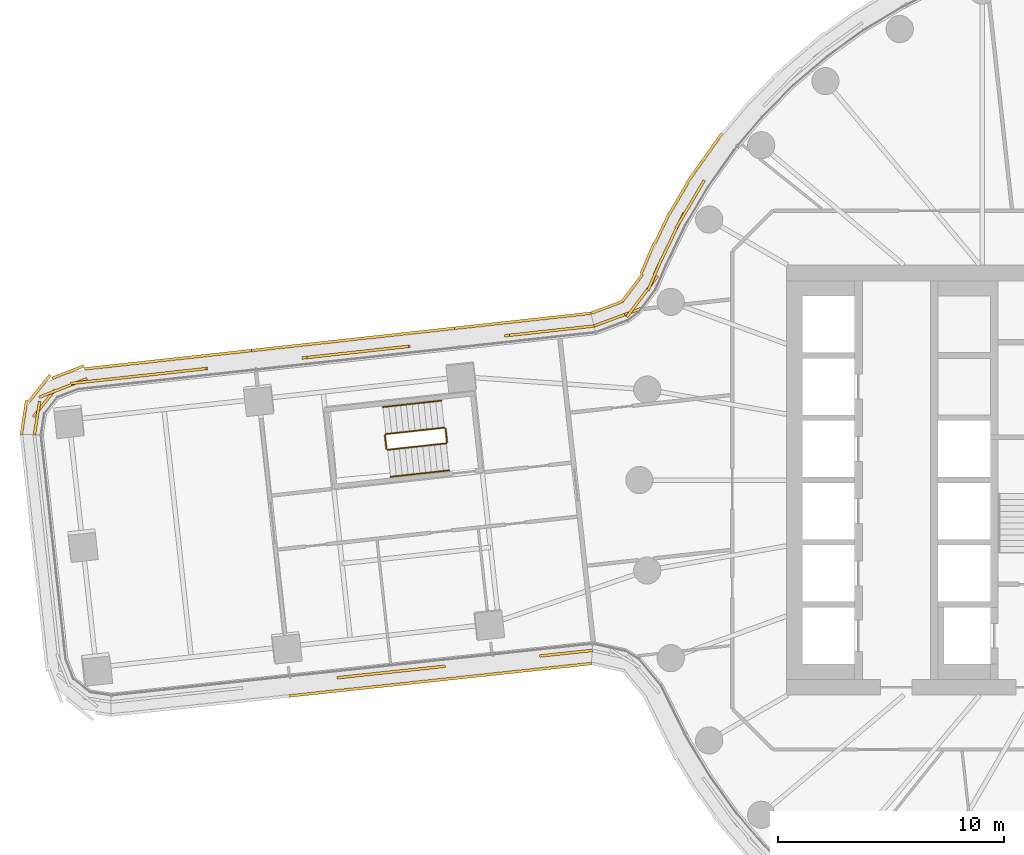
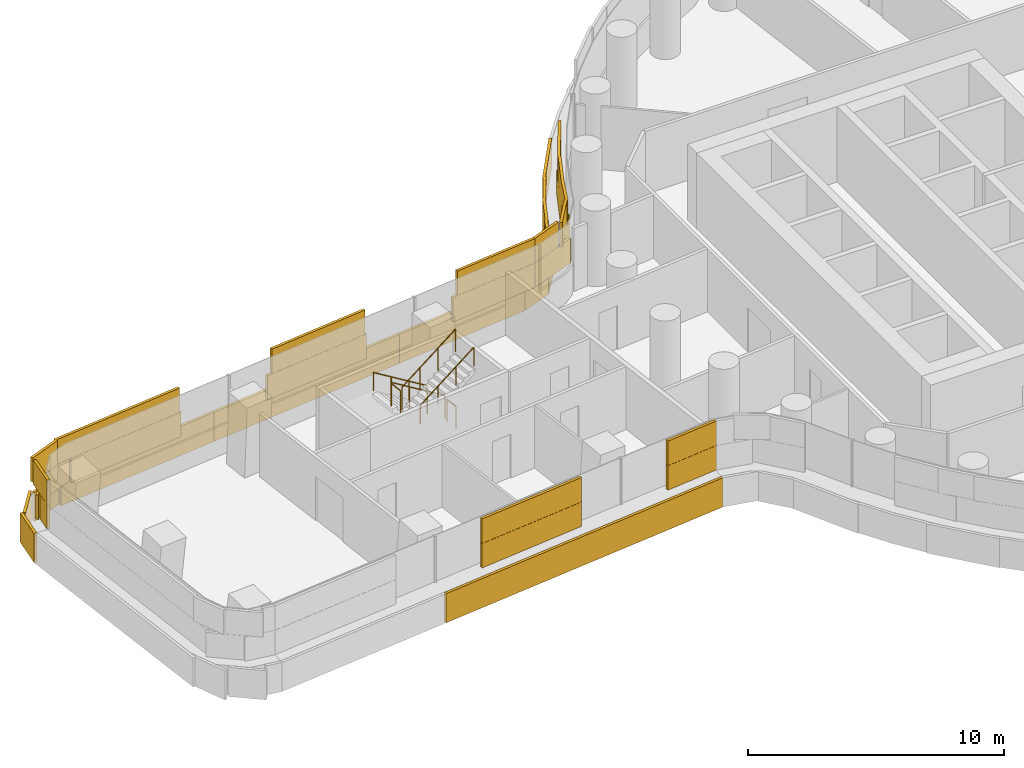
# One storey, part 27 of 31: 6 railings, 5 coverings.
"""IFC4 building model written with IfcOpenShell, lengths in metres."""

import ifcopenshell
import ifcopenshell.guid

model = None  # the IFC model being written
_history = None  # IfcOwnerHistory: only IFC2X3 demands one
_inside = {}  # id of a spatial element -> (the spatial element, [elements in it])
_under = {}  # id of a project, library or spatial element -> (it, [spatial elements below it])
_declared = {}  # id of a project -> (the project, [libraries it declares])
_typed = {}  # id of a type object -> (the type object, [elements of that type])
_made_of = {}  # id of a material, layer set ... -> (it, [elements and type objects made of it])


def new_model(schema):
    """Start an empty IFC model of exactly this schema.

    Asked for "IFC4X3", IfcOpenShell would pick the latest addendum, in which some entities
    have other attributes; the version numbers below select the first issue.
    IFC2X3 requires an IfcOwnerHistory on every rooted entity: one is made here for all.
    """
    global model, _history
    if schema == "IFC4X3":
        model = ifcopenshell.file(schema_version=(4, 3, 0, 0))
    else:
        model = ifcopenshell.file(schema=schema)
    _inside.clear()
    _under.clear()
    _declared.clear()
    _typed.clear()
    _made_of.clear()
    _history = None
    if model.schema == "IFC2X3":
        org = make("IfcOrganization", Name="unknown")
        user = make(
            "IfcPersonAndOrganization",
            ThePerson=make("IfcPerson", FamilyName="unknown"),
            TheOrganization=org,
        )
        app = make(
            "IfcApplication",
            ApplicationDeveloper=org,
            Version="unknown",
            ApplicationFullName="unknown",
            ApplicationIdentifier="unknown",
        )
        _history = make(
            "IfcOwnerHistory",
            OwningUser=user,
            OwningApplication=app,
            ChangeAction="ADDED",
            CreationDate=0,
        )
    return model


def make(cls, **values):
    """One entity of the class cls with the attributes given. An attribute that is None is left unset."""
    return model.create_entity(
        cls, **{name: value for name, value in values.items() if value is not None}
    )


def rooted(cls, **values):
    """An entity with a GlobalId (a new one), such as an element, a storey or a relation."""
    return make(cls, GlobalId=ifcopenshell.guid.new(), OwnerHistory=_history, **values)


def si_unit(unit_type, name, prefix=None):
    """IfcSIUnit, for example si_unit("LENGTHUNIT", "METRE", prefix="MILLI")."""
    return make("IfcSIUnit", UnitType=unit_type, Prefix=prefix, Name=name)


def assignment(units):
    """IfcUnitAssignment: the units of a project."""
    return None if units is None else make("IfcUnitAssignment", Units=units)


def point(xyz):
    """IfcCartesianPoint."""
    return None if xyz is None else make("IfcCartesianPoint", Coordinates=xyz)


def direction(xyz):
    """IfcDirection."""
    return None if xyz is None else make("IfcDirection", DirectionRatios=xyz)


def frame(location, z_axis=None, x_axis=None):
    """IfcAxis2Placement3D, a coordinate frame: its origin and axes. An axis left out is left unset."""
    return make(
        "IfcAxis2Placement3D",
        Location=point(location),
        Axis=direction(z_axis),
        RefDirection=direction(x_axis),
    )


def frame_2d(location, x_axis=None):
    """IfcAxis2Placement2D, a coordinate frame in the plane: its origin and x axis."""
    return make(
        "IfcAxis2Placement2D", Location=point(location), RefDirection=direction(x_axis)
    )


def origin():
    """The frame at (0, 0, 0) with its axes left unset."""
    return frame((0.0, 0.0, 0.0))


def origin_2d():
    """The frame at (0, 0) in the plane with its x axis left unset."""
    return frame_2d((0.0, 0.0))


def place(relative_to, where):
    """IfcLocalPlacement: puts the frame where relative to a parent placement (None: the world)."""
    return make(
        "IfcLocalPlacement", PlacementRelTo=relative_to, RelativePlacement=where
    )


def context(
    kind, dimensions, precision=None, world=None, true_north=None, identifier=None
):
    """IfcGeometricRepresentationContext, for example the 3D "Model" context."""
    return make(
        "IfcGeometricRepresentationContext",
        ContextIdentifier=identifier,
        ContextType=kind,
        CoordinateSpaceDimension=dimensions,
        Precision=precision,
        WorldCoordinateSystem=world,
        TrueNorth=true_north,
    )


def subcontext(parent, identifier, kind, view, scale=None):
    """IfcGeometricRepresentationSubContext, for example "Body" below "Model"."""
    return make(
        "IfcGeometricRepresentationSubContext",
        ContextIdentifier=identifier,
        ContextType=kind,
        ParentContext=parent,
        TargetScale=scale,
        TargetView=view,
    )


def project(units=None, contexts=None):
    """IfcProject with its units and contexts."""
    return rooted(
        "IfcProject",
        Name="project",
        RepresentationContexts=contexts,
        UnitsInContext=assignment(units),
    )


def spatial(cls, under=None, at=None, **own):
    """A site, building, storey or space (cls), placed at a placement, below another one or the project."""
    s = rooted(cls, ObjectPlacement=at, **own)
    if under is not None:
        _under.setdefault(under.id(), (under, []))[1].append(s)
    return s


def profile(cls, at=None, kind="AREA", **sizes):
    """A parametric profile (cls). Its sizes go by their IFC names, for example OverallWidth=200.0."""
    return make(cls, ProfileType=kind, Position=at, **sizes)


def rectangle(**sizes):
    """IfcRectangleProfileDef."""
    return profile("IfcRectangleProfileDef", **sizes)


def circle(**sizes):
    """IfcCircleProfileDef."""
    return profile("IfcCircleProfileDef", **sizes)


def extrude(swept, where, along, depth):
    """IfcExtrudedAreaSolid: the profile swept, set in the frame where, extruded along a direction by depth."""
    return make(
        "IfcExtrudedAreaSolid",
        SweptArea=swept,
        Position=where,
        ExtrudedDirection=direction(along),
        Depth=depth,
    )


def shape(context_of_items, identifier, shape_type, items):
    """IfcShapeRepresentation: the items that make up one representation, for example the "Body"."""
    return make(
        "IfcShapeRepresentation",
        ContextOfItems=context_of_items,
        RepresentationIdentifier=identifier,
        RepresentationType=shape_type,
        Items=items,
    )


def material(Name=None, Category=None):
    """IfcMaterial."""
    return make("IfcMaterial", Name=Name, Category=Category)


def layer(
    of_material, thickness, ventilated=None, Name=None, Category=None, Priority=None
):
    """IfcMaterialLayer: one layer of a wall or slab, of a material (None: an air gap)."""
    return make(
        "IfcMaterialLayer",
        Material=of_material,
        LayerThickness=thickness,
        IsVentilated=ventilated,
        Name=Name,
        Category=Category,
        Priority=Priority,
    )


def layer_set(layers, Name=None):
    """IfcMaterialLayerSet."""
    return make("IfcMaterialLayerSet", MaterialLayers=layers, LayerSetName=Name)


def made_of(thing, what):
    """Note that an element or type object is made of a material, layer set ...; save() writes the relation."""
    if what is not None:
        _made_of.setdefault(what.id(), (what, []))[1].append(thing)
    return thing


def type_object(cls, material=None, **own):
    """A type object (cls), such as IfcWallType, which elements share."""
    return made_of(rooted(cls, **own), material)


def element(
    cls,
    number,
    at=None,
    inside=None,
    cuts=None,
    type_object=None,
    material=None,
    context=None,
    identifier="Body",
    shape_type=None,
    held_by="IfcProductDefinitionShape",
    body=None,
    shapes=None,
    **own,
):
    """One element of the class cls, such as IfcWall. Its Tag is "e" and its number.

    at: its placement. inside: the storey or other place that contains it. cuts: it is an
    opening in that element (IfcRelVoidsElement). A single representation is given by context,
    identifier, shape_type and body (its items); several are given by shapes. held_by: the class
    of the entity that holds the representations. save() writes the other relations.
    """
    e = rooted(cls, Tag="e%d" % number, ObjectPlacement=at, **own)
    if body is not None:
        shapes = [shape(context, identifier, shape_type, body)]
    if shapes is not None:
        e.Representation = make(held_by, Representations=shapes)
    if inside is not None:
        _inside.setdefault(inside.id(), (inside, []))[1].append(e)
    if cuts is not None:
        rooted(
            "IfcRelVoidsElement", RelatingBuildingElement=cuts, RelatedOpeningElement=e
        )
    if type_object is not None:
        _typed.setdefault(type_object.id(), (type_object, []))[1].append(e)
    return made_of(e, material)


def aggregate(whole, parts):
    """IfcRelAggregates: a whole, such as a stair, and the parts it consists of."""
    return rooted("IfcRelAggregates", RelatingObject=whole, RelatedObjects=parts)


def save(model, path):
    """Write the relations noted so far, then the file.

    IfcRelAggregates (storeys below a building ...), IfcRelContainedInSpatialStructure (elements
    in a storey), IfcRelDefinesByType, IfcRelAssociatesMaterial and IfcRelDeclares: one each for
    every whole, place, type object, material and project.
    """
    for whole, parts in _under.values():
        aggregate(whole, parts)
    for where, things in _inside.values():
        rooted(
            "IfcRelContainedInSpatialStructure",
            RelatedElements=things,
            RelatingStructure=where,
        )
    for kind, things in _typed.values():
        rooted("IfcRelDefinesByType", RelatedObjects=things, RelatingType=kind)
    for what, things in _made_of.values():
        rooted("IfcRelAssociatesMaterial", RelatedObjects=things, RelatingMaterial=what)
    for by, libraries in _declared.values():
        rooted("IfcRelDeclares", RelatingContext=by, RelatedDefinitions=libraries)
    model.write(path)


model = new_model("IFC4")

# Units and contexts
model_context = context("Model", 3, precision=1e-05, world=origin(), true_north=direction((0.0, 1.0)))
body_context = subcontext(model_context, "Body", "Model", "MODEL_VIEW")
ifc_project = project(units=[si_unit("LENGTHUNIT", "METRE"), si_unit("AREAUNIT", "SQUARE_METRE"), si_unit("VOLUMEUNIT", "CUBIC_METRE"), si_unit("PLANEANGLEUNIT", "RADIAN"), si_unit("MASSUNIT", "GRAM", prefix="KILO")], contexts=[model_context])

# Site, building, storey
site_placement = place(None, origin())
site = spatial("IfcSite", under=ifc_project, at=site_placement, CompositionType="ELEMENT")
building_placement = place(site_placement, origin())
building = spatial("IfcBuilding", under=site, at=building_placement, Name="Tamarind Cross Interchange Tower", CompositionType="ELEMENT")
storey_placement = place(building_placement, frame((0.0, 0.0, 56.5)))
storey = spatial("IfcBuildingStorey", under=building, at=storey_placement, Name="L12", CompositionType="ELEMENT", Elevation=56.5)

# Railings
ifc_material_1 = material(Name="Stair guard")
railing_type_1 = type_object("IfcRailingType", Name="Stair guard", PredefinedType="GUARDRAIL", material=ifc_material_1)
railing_1_placement = place(storey_placement, frame((-31.610107421875, 2.314453125, 0.17041015625)))
element("IfcRailing", 1, at=railing_1_placement, inside=storey, type_object=railing_type_1, Name="L12 ST5 stair guard 1", PredefinedType="GUARDRAIL", context=body_context, shape_type="SweptSolid", body=[
    extrude(circle(Radius=0.02392578125, at=origin_2d()), frame((0.0, 0.0, 1.076171875), z_axis=(-0.831293296749, -0.091327612329, 0.548279784423), x_axis=(0.109205023982, -0.994019246663, 0.0)), (0.0, 0.0, 1.0), 3.10888671875),
    extrude(circle(Radius=0.02099609375, at=origin_2d()), origin(), (0.0, 0.0, 1.0), 1.052001953125),
    extrude(circle(Radius=0.02099609375, at=origin_2d()), frame((-0.861572265625, -0.0947265625, 0.568115234375)), (0.0, 0.0, 1.0), 1.052001953125),
    extrude(circle(Radius=0.02099609375, at=origin_2d()), frame((-1.722900390625, -0.189208984375, 1.136474609375)), (0.0, 0.0, 1.0), 1.052001953125),
    extrude(circle(Radius=0.02099609375, at=origin_2d()), frame((-2.58447265625, -0.283935546875, 1.70458984375)), (0.0, 0.0, 1.0), 1.052001953125),
])
railing_2_placement = place(storey_placement, frame((-34.23876953125, 1.975341796875, 1.875)))
element("IfcRailing", 2, at=railing_2_placement, inside=storey, type_object=railing_type_1, Name="L12 ST5 stair guard 2", PredefinedType="GUARDRAIL", context=body_context, shape_type="SweptSolid", body=[
    extrude(circle(Radius=0.02392578125, at=origin_2d()), frame((0.0, 0.0, 1.076171875), z_axis=(0.109046994501, -0.994036595398, 0.0), x_axis=(0.994036595398, 0.109046994501, 0.0)), (0.0, 0.0, 1.0), 0.60009765625),
    extrude(circle(Radius=0.02099609375, at=origin_2d()), origin(), (0.0, 0.0, 1.0), 1.052001953125),
    extrude(circle(Radius=0.02099609375, at=origin_2d()), frame((0.0654296875, -0.596435546875, 0.0)), (0.0, 0.0, 1.0), 1.052001953125),
])
railing_3_placement = place(storey_placement, frame((-34.1181640625, 1.334716796875, 2.04541015625)))
element("IfcRailing", 3, at=railing_3_placement, inside=storey, type_object=railing_type_1, Name="L12 ST5 stair guard 3", PredefinedType="GUARDRAIL", context=body_context, shape_type="SweptSolid", body=[
    extrude(circle(Radius=0.02392578125, at=origin_2d()), frame((0.0, 0.0, 1.076171875), z_axis=(0.831293296749, 0.091327612329, 0.548279784423), x_axis=(-0.109205023982, 0.994019246663, 0.0)), (0.0, 0.0, 1.0), 3.10888671875),
    extrude(circle(Radius=0.02099609375, at=origin_2d()), origin(), (0.0, 0.0, 1.0), 1.052001953125),
    extrude(circle(Radius=0.02099609375, at=origin_2d()), frame((0.861572265625, 0.0947265625, 0.568115234375)), (0.0, 0.0, 1.0), 1.052001953125),
    extrude(circle(Radius=0.02099609375, at=origin_2d()), frame((1.722900390625, 0.189208984375, 1.136474609375)), (0.0, 0.0, 1.0), 1.052001953125),
    extrude(circle(Radius=0.02099609375, at=origin_2d()), frame((2.58447265625, 0.283935546875, 1.70458984375)), (0.0, 0.0, 1.0), 1.052001953125),
])
railing_4_placement = place(storey_placement, frame((-31.554931640625, 2.270263671875, 0.0)))
element("IfcRailing", 4, at=railing_4_placement, inside=storey, type_object=railing_type_1, Name="L12 ST5 stair guard 4", PredefinedType="GUARDRAIL", context=body_context, shape_type="SweptSolid", body=[
    extrude(circle(Radius=0.02392578125, at=origin_2d()), frame((0.0, 0.0, 1.076171875), z_axis=(0.109046994501, -0.994036595398, 0.0), x_axis=(0.994036595398, 0.109046994501, 0.0)), (0.0, 0.0, 1.0), 0.60009765625),
    extrude(circle(Radius=0.02099609375, at=origin_2d()), origin(), (0.0, 0.0, 1.0), 1.052001953125),
    extrude(circle(Radius=0.02099609375, at=origin_2d()), frame((0.0654296875, -0.596435546875, 0.0)), (0.0, 0.0, 1.0), 1.052001953125),
])
ifc_material_2 = material(Name="Stair handrail")
railing_type_2 = type_object("IfcRailingType", Name="Stair handrail", PredefinedType="HANDRAIL", material=ifc_material_2)
railing_5_placement = place(storey_placement, frame((-31.7412109375, 3.50732421875, 0.17041015625)))
element("IfcRailing", 5, at=railing_5_placement, inside=storey, type_object=railing_type_2, Name="L12 ST5 stair handrail 1", PredefinedType="HANDRAIL", context=body_context, shape_type="SweptSolid", body=[
    extrude(circle(Radius=0.02392578125, at=origin_2d()), frame((0.0, 0.0, 0.8759765625), z_axis=(-0.831293296749, -0.091327612329, 0.548279784423), x_axis=(0.109205023982, -0.994019246663, 0.0)), (0.0, 0.0, 1.0), 3.10888671875),
    extrude(circle(Radius=0.02099609375, at=origin_2d()), origin(), (0.0, 0.0, 1.0), 0.851806640625),
    extrude(circle(Radius=0.02099609375, at=origin_2d()), frame((-0.861572265625, -0.0947265625, 0.568115234375)), (0.0, 0.0, 1.0), 0.851806640625),
    extrude(circle(Radius=0.02099609375, at=origin_2d()), frame((-1.722900390625, -0.189208984375, 1.136474609375)), (0.0, 0.0, 1.0), 0.851806640625),
    extrude(circle(Radius=0.02099609375, at=origin_2d()), frame((-2.58447265625, -0.283935546875, 1.70458984375)), (0.0, 0.0, 1.0), 0.851806640625),
])
railing_6_placement = place(storey_placement, frame((-33.987060546875, 0.141845703125, 2.04541015625)))
element("IfcRailing", 6, at=railing_6_placement, inside=storey, type_object=railing_type_2, Name="L12 ST5 stair handrail 2", PredefinedType="HANDRAIL", context=body_context, shape_type="SweptSolid", body=[
    extrude(circle(Radius=0.02392578125, at=origin_2d()), frame((0.0, 0.0, 0.8759765625), z_axis=(0.831269033153, 0.09133357445, 0.548315577655), x_axis=(-0.109215217887, 0.994018126687, 0.0)), (0.0, 0.0, 1.0), 3.10888671875),
    extrude(circle(Radius=0.02099609375, at=origin_2d()), origin(), (0.0, 0.0, 1.0), 0.851806640625),
    extrude(circle(Radius=0.02099609375, at=origin_2d()), frame((0.861328125, 0.0947265625, 0.568115234375)), (0.0, 0.0, 1.0), 0.851806640625),
    extrude(circle(Radius=0.02099609375, at=origin_2d()), frame((1.722900390625, 0.189208984375, 1.136474609375)), (0.0, 0.0, 1.0), 0.851806640625),
    extrude(circle(Radius=0.02099609375, at=origin_2d()), frame((2.584228515625, 0.283935546875, 1.70458984375)), (0.0, 0.0, 1.0), 0.851806640625),
])

# Coverings
ifc_material_3 = material(Name="Terracotta", Category="masonry")
ifc_layer = layer(ifc_material_3, 0.1201171875)
ifc_layer_set = layer_set([ifc_layer], Name="Terracotta")
covering_type = type_object("IfcCoveringType", Name="Terracotta baguette screen unit", PredefinedType="MOLDING", material=ifc_layer_set)
covering_1_placement = place(storey_placement, origin())
element("IfcCovering", 7, at=covering_1_placement, inside=storey, type_object=covering_type, Name="SCR-L12-06-01", PredefinedType="MOLDING", context=body_context, shape_type="SweptSolid", body=[
    extrude(rectangle(XDim=1.52001953125, YDim=0.1201171875, at=origin_2d()), frame((-20.618896484375, 12.41162109375, 1.404052734375), z_axis=(0.0, 0.0, 1.0), x_axis=(-0.508183308752, -0.861248933065, 0.0)), (0.0, 0.0, 1.0), 1.1669921875),
    extrude(rectangle(XDim=1.52001953125, YDim=0.1201171875, at=origin_2d()), frame((-21.35986328125, 11.108154296875, 1.404052734375), z_axis=(0.0, 0.0, 1.0), x_axis=(-0.435326231914, -0.900272776334, 0.0)), (0.0, 0.0, 1.0), 1.1669921875),
    extrude(rectangle(XDim=1.52001953125, YDim=0.1201171875, at=origin_2d()), frame((-22.012939453125, 9.7578125, 1.404052734375), z_axis=(0.0, 0.0, 1.0), x_axis=(-0.435326231914, -0.900272776334, 0.0)), (0.0, 0.0, 1.0), 1.1669921875),
    extrude(rectangle(XDim=1.52001953125, YDim=0.1201171875, at=origin_2d()), frame((-22.651123046875, 8.405517578125, 1.404052734375), z_axis=(0.0, 0.0, 1.0), x_axis=(-0.600694337457, -0.799478775796, 0.0)), (0.0, 0.0, 1.0), 1.1669921875),
    extrude(rectangle(XDim=1.52001953125, YDim=0.1201171875, at=origin_2d()), frame((-23.651611328125, 7.3056640625, 1.404052734375), z_axis=(0.0, 0.0, 1.0), x_axis=(-0.937012119325, -0.349296848309, 0.0)), (0.0, 0.0, 1.0), 1.1669921875),
    extrude(rectangle(XDim=0.69921875, YDim=0.1201171875, at=origin_2d()), frame((-24.67724609375, 6.92333984375, 1.404052734375), z_axis=(0.0, 0.0, 1.0), x_axis=(-0.937012119325, -0.349296848309, 0.0)), (0.0, 0.0, 1.0), 1.1669921875),
    extrude(rectangle(XDim=0.9638671875, YDim=0.1201171875, at=origin_2d()), frame((-20.376708984375, 12.822265625, 2.5791015625), z_axis=(0.0, 0.0, 1.0), x_axis=(-0.508183308752, -0.861248933065, 0.0)), (0.0, 0.0, 1.0), 1.1669921875),
    extrude(rectangle(XDim=1.52001953125, YDim=0.1201171875, at=origin_2d()), frame((-21.000244140625, 11.765625, 2.5791015625), z_axis=(0.0, 0.0, 1.0), x_axis=(-0.508183308752, -0.861248933065, 0.0)), (0.0, 0.0, 1.0), 1.1669921875),
    extrude(rectangle(XDim=1.52001953125, YDim=0.1201171875, at=origin_2d()), frame((-21.686279296875, 10.43310546875, 2.5791015625), z_axis=(0.0, 0.0, 1.0), x_axis=(-0.435326231914, -0.900272776334, 0.0)), (0.0, 0.0, 1.0), 1.1669921875),
    extrude(rectangle(XDim=1.52001953125, YDim=0.1201171875, at=origin_2d()), frame((-22.31640625, 9.072265625, 2.5791015625), z_axis=(0.0, 0.0, 1.0), x_axis=(-0.393749270714, -0.91921788049, 0.0)), (0.0, 0.0, 1.0), 1.1669921875),
    extrude(rectangle(XDim=1.52001953125, YDim=0.1201171875, at=origin_2d()), frame((-23.1015625, 7.805908203125, 2.5791015625), z_axis=(0.0, 0.0, 1.0), x_axis=(-0.600694337457, -0.799478775796, 0.0)), (0.0, 0.0, 1.0), 1.1669921875),
    extrude(rectangle(XDim=1.44921875, YDim=0.1201171875, at=origin_2d()), frame((-24.32568359375, 7.054443359375, 2.5791015625), z_axis=(0.0, 0.0, 1.0), x_axis=(-0.937012119325, -0.349296848309, 0.0)), (0.0, 0.0, 1.0), 1.1669921875),
    extrude(rectangle(XDim=1.170654296875, YDim=0.1201171875, at=origin_2d()), frame((-19.69873046875, 14.818359375, 0.00390625), z_axis=(0.0, 0.0, 1.0), x_axis=(-0.577568978284, -0.816341886298, 0.0)), (0.0, 0.0, 1.0), 1.39208984375),
    extrude(rectangle(XDim=1.52001953125, YDim=0.1201171875, at=origin_2d()), frame((-20.464111328125, 13.736572265625, 0.00390625), z_axis=(0.0, 0.0, 1.0), x_axis=(-0.577568978284, -0.816341886298, 0.0)), (0.0, 0.0, 1.0), 1.39208984375),
    extrude(rectangle(XDim=1.52001953125, YDim=0.1201171875, at=origin_2d()), frame((-21.255126953125, 12.463134765625, 0.00390625), z_axis=(0.0, 0.0, 1.0), x_axis=(-0.508183308752, -0.861248933065, 0.0)), (0.0, 0.0, 1.0), 1.39208984375),
    extrude(rectangle(XDim=1.52001953125, YDim=0.1201171875, at=origin_2d()), frame((-21.977294921875, 11.14990234375, 0.00390625), z_axis=(0.0, 0.0, 1.0), x_axis=(-0.435326231914, -0.900272776334, 0.0)), (0.0, 0.0, 1.0), 1.39208984375),
    extrude(rectangle(XDim=1.52001953125, YDim=0.1201171875, at=origin_2d()), frame((-22.62939453125, 9.799072265625, 0.00390625), z_axis=(0.0, 0.0, 1.0), x_axis=(-0.393749270714, -0.91921788049, 0.0)), (0.0, 0.0, 1.0), 1.39208984375),
    extrude(rectangle(XDim=1.52001953125, YDim=0.1201171875, at=origin_2d()), frame((-23.316162109375, 8.475830078125, 0.00390625), z_axis=(0.0, 0.0, 1.0), x_axis=(-0.600694337457, -0.799478775796, 0.0)), (0.0, 0.0, 1.0), 1.39208984375),
    extrude(rectangle(XDim=1.455322265625, YDim=0.1201171875, at=origin_2d()), frame((-24.451904296875, 7.6201171875, 0.00390625), z_axis=(0.0, 0.0, 1.0), x_axis=(-0.937012119325, -0.349296848309, 0.0)), (0.0, 0.0, 1.0), 1.39208984375),
])
covering_2_placement = place(storey_placement, origin())
element("IfcCovering", 8, at=covering_2_placement, inside=storey, type_object=covering_type, Name="SCR-L12-07-00", PredefinedType="MOLDING", context=body_context, shape_type="SweptSolid", body=[
    extrude(rectangle(XDim=1.510009765625, YDim=0.1201171875, at=origin_2d()), frame((-25.74560546875, 6.72119140625, 1.404052734375), z_axis=(0.0, 0.0, 1.0), x_axis=(-0.994020563105, -0.109193040639, 0.0)), (0.0, 0.0, 1.0), 1.1669921875),
    extrude(rectangle(XDim=1.52001953125, YDim=0.1201171875, at=origin_2d()), frame((-27.236572265625, 6.557373046875, 1.404052734375), z_axis=(0.0, 0.0, 1.0), x_axis=(-0.994020563105, -0.109193040639, 0.0)), (0.0, 0.0, 1.0), 1.1669921875),
    extrude(rectangle(XDim=0.982177734375, YDim=0.1201171875, at=origin_2d()), frame((-28.46533203125, 6.42236328125, 1.404052734375), z_axis=(0.0, 0.0, 1.0), x_axis=(-0.994020563105, -0.109193040639, 0.0)), (0.0, 0.0, 1.0), 1.1669921875),
    extrude(rectangle(XDim=0.760009765625, YDim=0.1201171875, at=origin_2d()), frame((-25.372802734375, 6.76220703125, 2.5791015625), z_axis=(0.0, 0.0, 1.0), x_axis=(-0.994020563105, -0.109193040639, 0.0)), (0.0, 0.0, 1.0), 1.1669921875),
    extrude(rectangle(XDim=1.52001953125, YDim=0.1201171875, at=origin_2d()), frame((-26.490966796875, 6.639404296875, 2.5791015625), z_axis=(0.0, 0.0, 1.0), x_axis=(-0.994020563105, -0.109193040639, 0.0)), (0.0, 0.0, 1.0), 1.1669921875),
    extrude(rectangle(XDim=1.52001953125, YDim=0.1201171875, at=origin_2d()), frame((-27.982177734375, 6.4755859375, 2.5791015625), z_axis=(0.0, 0.0, 1.0), x_axis=(-0.994020563105, -0.109193040639, 0.0)), (0.0, 0.0, 1.0), 1.1669921875),
    extrude(rectangle(XDim=1.510009765625, YDim=0.1201171875, at=origin_2d()), frame((-25.884033203125, 7.283447265625, 0.00390625), z_axis=(0.0, 0.0, 1.0), x_axis=(-0.994020563105, -0.109193040639, 0.0)), (0.0, 0.0, 1.0), 1.39208984375),
    extrude(rectangle(XDim=1.52001953125, YDim=0.1201171875, at=origin_2d()), frame((-27.3701171875, 7.1201171875, 0.00390625), z_axis=(0.0, 0.0, 1.0), x_axis=(-0.994020563105, -0.109193040639, 0.0)), (0.0, 0.0, 1.0), 1.39208984375),
    extrude(rectangle(XDim=1.52001953125, YDim=0.1201171875, at=origin_2d()), frame((-28.861328125, 6.956298828125, 0.00390625), z_axis=(0.0, 0.0, 1.0), x_axis=(-0.994020563105, -0.109193040639, 0.0)), (0.0, 0.0, 1.0), 1.39208984375),
    extrude(rectangle(XDim=1.52001953125, YDim=0.1201171875, at=origin_2d()), frame((-30.352294921875, 6.792724609375, 0.00390625), z_axis=(0.0, 0.0, 1.0), x_axis=(-0.994020563105, -0.109193040639, 0.0)), (0.0, 0.0, 1.0), 1.39208984375),
    extrude(rectangle(XDim=0.083251953125, YDim=0.1201171875, at=origin_2d()), frame((-31.129150390625, 6.707275390625, 0.00390625), z_axis=(0.0, 0.0, 1.0), x_axis=(-0.994020563105, -0.109193040639, 0.0)), (0.0, 0.0, 1.0), 1.39208984375),
])
covering_3_placement = place(storey_placement, origin())
element("IfcCovering", 9, at=covering_3_placement, inside=storey, type_object=covering_type, Name="SCR-L12-07-01", PredefinedType="MOLDING", context=body_context, shape_type="SweptSolid", body=[
    extrude(rectangle(XDim=0.837890625, YDim=0.1201171875, at=origin_2d()), frame((-33.53466796875, 5.865478515625, 1.404052734375), z_axis=(0.0, 0.0, 1.0), x_axis=(-0.994020563105, -0.109193040639, 0.0)), (0.0, 0.0, 1.0), 1.1669921875),
    extrude(rectangle(XDim=1.52001953125, YDim=0.1201171875, at=origin_2d()), frame((-34.691650390625, 5.738525390625, 1.404052734375), z_axis=(0.0, 0.0, 1.0), x_axis=(-0.994020563105, -0.109193040639, 0.0)), (0.0, 0.0, 1.0), 1.1669921875),
    extrude(rectangle(XDim=1.52001953125, YDim=0.1201171875, at=origin_2d()), frame((-36.182861328125, 5.57470703125, 1.404052734375), z_axis=(0.0, 0.0, 1.0), x_axis=(-0.994020563105, -0.109193040639, 0.0)), (0.0, 0.0, 1.0), 1.1669921875),
    extrude(rectangle(XDim=0.982421875, YDim=0.1201171875, at=origin_2d()), frame((-37.41162109375, 5.439697265625, 1.404052734375), z_axis=(0.0, 0.0, 1.0), x_axis=(-0.994020563105, -0.109193040639, 0.0)), (0.0, 0.0, 1.0), 1.1669921875),
    extrude(rectangle(XDim=1.52001953125, YDim=0.1201171875, at=origin_2d()), frame((-33.9462890625, 5.8203125, 2.5791015625), z_axis=(0.0, 0.0, 1.0), x_axis=(-0.994020563105, -0.109193040639, 0.0)), (0.0, 0.0, 1.0), 1.1669921875),
    extrude(rectangle(XDim=1.52001953125, YDim=0.1201171875, at=origin_2d()), frame((-35.437255859375, 5.656494140625, 2.5791015625), z_axis=(0.0, 0.0, 1.0), x_axis=(-0.994020563105, -0.109193040639, 0.0)), (0.0, 0.0, 1.0), 1.1669921875),
    extrude(rectangle(XDim=1.52001953125, YDim=0.1201171875, at=origin_2d()), frame((-36.92822265625, 5.49267578125, 2.5791015625), z_axis=(0.0, 0.0, 1.0), x_axis=(-0.994020563105, -0.109193040639, 0.0)), (0.0, 0.0, 1.0), 1.1669921875),
    extrude(rectangle(XDim=1.436767578125, YDim=0.1201171875, at=origin_2d()), frame((-31.884765625, 6.624267578125, 0.00390625), z_axis=(0.0, 0.0, 1.0), x_axis=(-0.994020563105, -0.109193040639, 0.0)), (0.0, 0.0, 1.0), 1.39208984375),
    extrude(rectangle(XDim=1.52001953125, YDim=0.1201171875, at=origin_2d()), frame((-33.334228515625, 6.465087890625, 0.00390625), z_axis=(0.0, 0.0, 1.0), x_axis=(-0.994020563105, -0.109193040639, 0.0)), (0.0, 0.0, 1.0), 1.39208984375),
    extrude(rectangle(XDim=1.52001953125, YDim=0.1201171875, at=origin_2d()), frame((-34.825439453125, 6.30126953125, 0.00390625), z_axis=(0.0, 0.0, 1.0), x_axis=(-0.994020563105, -0.109193040639, 0.0)), (0.0, 0.0, 1.0), 1.39208984375),
    extrude(rectangle(XDim=1.52001953125, YDim=0.1201171875, at=origin_2d()), frame((-36.31640625, 6.137451171875, 0.00390625), z_axis=(0.0, 0.0, 1.0), x_axis=(-0.994020563105, -0.109193040639, 0.0)), (0.0, 0.0, 1.0), 1.39208984375),
    extrude(rectangle(XDim=1.52001953125, YDim=0.1201171875, at=origin_2d()), frame((-37.807373046875, 5.9736328125, 0.00390625), z_axis=(0.0, 0.0, 1.0), x_axis=(-0.994020563105, -0.109193040639, 0.0)), (0.0, 0.0, 1.0), 1.39208984375),
    extrude(rectangle(XDim=1.52001953125, YDim=0.1201171875, at=origin_2d()), frame((-39.29833984375, 5.809814453125, 0.00390625), z_axis=(0.0, 0.0, 1.0), x_axis=(-0.994020563105, -0.109193040639, 0.0)), (0.0, 0.0, 1.0), 1.39208984375),
    extrude(rectangle(XDim=0.0849609375, YDim=0.1201171875, at=origin_2d()), frame((-40.076416015625, 5.724365234375, 0.00390625), z_axis=(0.0, 0.0, 1.0), x_axis=(-0.994020563105, -0.109193040639, 0.0)), (0.0, 0.0, 1.0), 1.39208984375),
])
covering_4_placement = place(storey_placement, origin())
element("IfcCovering", 10, at=covering_4_placement, inside=storey, type_object=covering_type, Name="SCR-L12-07-02", PredefinedType="MOLDING", context=body_context, shape_type="SweptSolid", body=[
    extrude(rectangle(XDim=0.837646484375, YDim=0.1201171875, at=origin_2d()), frame((-42.48095703125, 4.8828125, 1.404052734375), z_axis=(0.0, 0.0, 1.0), x_axis=(-0.994020563105, -0.109193040639, 0.0)), (0.0, 0.0, 1.0), 1.1669921875),
    extrude(rectangle(XDim=1.52001953125, YDim=0.1201171875, at=origin_2d()), frame((-43.637939453125, 4.755615234375, 1.404052734375), z_axis=(0.0, 0.0, 1.0), x_axis=(-0.994020563105, -0.109193040639, 0.0)), (0.0, 0.0, 1.0), 1.1669921875),
    extrude(rectangle(XDim=1.52001953125, YDim=0.1201171875, at=origin_2d()), frame((-45.12890625, 4.592041015625, 1.404052734375), z_axis=(0.0, 0.0, 1.0), x_axis=(-0.994020563105, -0.109193040639, 0.0)), (0.0, 0.0, 1.0), 1.1669921875),
    extrude(rectangle(XDim=1.52001953125, YDim=0.1201171875, at=origin_2d()), frame((-46.619873046875, 4.42822265625, 1.404052734375), z_axis=(0.0, 0.0, 1.0), x_axis=(-0.994020563105, -0.109193040639, 0.0)), (0.0, 0.0, 1.0), 1.1669921875),
    extrude(rectangle(XDim=1.52001953125, YDim=0.1201171875, at=origin_2d()), frame((-48.09619140625, 4.2041015625, 1.404052734375), z_axis=(0.0, 0.0, 1.0), x_axis=(-0.931888895256, -0.36274383096, 0.0)), (0.0, 0.0, 1.0), 1.1669921875),
    extrude(rectangle(XDim=1.52001953125, YDim=0.1201171875, at=origin_2d()), frame((-49.2900390625, 3.3818359375, 1.404052734375), z_axis=(0.0, 0.0, 1.0), x_axis=(-0.625667541316, -0.780089820305, 0.0)), (0.0, 0.0, 1.0), 1.1669921875),
    extrude(rectangle(XDim=0.748046875, YDim=0.1201171875, at=origin_2d()), frame((-49.657470703125, 2.362548828125, 1.404052734375), z_axis=(0.0, 0.0, 1.0), x_axis=(-0.151799074951, -0.988411372276, 0.0)), (0.0, 0.0, 1.0), 1.1669921875),
    extrude(rectangle(XDim=1.52001953125, YDim=0.1201171875, at=origin_2d()), frame((-42.892333984375, 4.837646484375, 2.5791015625), z_axis=(0.0, 0.0, 1.0), x_axis=(-0.994020563105, -0.109193040639, 0.0)), (0.0, 0.0, 1.0), 1.1669921875),
    extrude(rectangle(XDim=1.52001953125, YDim=0.1201171875, at=origin_2d()), frame((-44.383544921875, 4.673828125, 2.5791015625), z_axis=(0.0, 0.0, 1.0), x_axis=(-0.994020563105, -0.109193040639, 0.0)), (0.0, 0.0, 1.0), 1.1669921875),
    extrude(rectangle(XDim=1.52001953125, YDim=0.1201171875, at=origin_2d()), frame((-45.87451171875, 4.510009765625, 2.5791015625), z_axis=(0.0, 0.0, 1.0), x_axis=(-0.994020563105, -0.109193040639, 0.0)), (0.0, 0.0, 1.0), 1.1669921875),
    extrude(rectangle(XDim=1.52001953125, YDim=0.1201171875, at=origin_2d()), frame((-47.365478515625, 4.34619140625, 2.5791015625), z_axis=(0.0, 0.0, 1.0), x_axis=(-0.994020563105, -0.109193040639, 0.0)), (0.0, 0.0, 1.0), 1.1669921875),
    extrude(rectangle(XDim=1.52001953125, YDim=0.1201171875, at=origin_2d()), frame((-48.795166015625, 3.931884765625, 2.5791015625), z_axis=(0.0, 0.0, 1.0), x_axis=(-0.931888895256, -0.36274383096, 0.0)), (0.0, 0.0, 1.0), 1.1669921875),
    extrude(rectangle(XDim=1.498046875, YDim=0.1201171875, at=origin_2d()), frame((-49.600341796875, 2.733154296875, 2.5791015625), z_axis=(0.0, 0.0, 1.0), x_axis=(-0.151799074951, -0.988411372276, 0.0)), (0.0, 0.0, 1.0), 1.1669921875),
    extrude(rectangle(XDim=1.434814453125, YDim=0.1201171875, at=origin_2d()), frame((-40.831787109375, 5.641357421875, 0.00390625), z_axis=(0.0, 0.0, 1.0), x_axis=(-0.994020563105, -0.109193040639, 0.0)), (0.0, 0.0, 1.0), 1.39208984375),
    extrude(rectangle(XDim=1.52001953125, YDim=0.1201171875, at=origin_2d()), frame((-42.280517578125, 5.482177734375, 0.00390625), z_axis=(0.0, 0.0, 1.0), x_axis=(-0.994020563105, -0.109193040639, 0.0)), (0.0, 0.0, 1.0), 1.39208984375),
    extrude(rectangle(XDim=1.52001953125, YDim=0.1201171875, at=origin_2d()), frame((-43.771484375, 5.318603515625, 0.00390625), z_axis=(0.0, 0.0, 1.0), x_axis=(-0.994020563105, -0.109193040639, 0.0)), (0.0, 0.0, 1.0), 1.39208984375),
    extrude(rectangle(XDim=1.52001953125, YDim=0.1201171875, at=origin_2d()), frame((-45.2626953125, 5.15478515625, 0.00390625), z_axis=(0.0, 0.0, 1.0), x_axis=(-0.994020563105, -0.109193040639, 0.0)), (0.0, 0.0, 1.0), 1.39208984375),
    extrude(rectangle(XDim=1.52001953125, YDim=0.1201171875, at=origin_2d()), frame((-46.753662109375, 4.990966796875, 0.00390625), z_axis=(0.0, 0.0, 1.0), x_axis=(-0.994020563105, -0.109193040639, 0.0)), (0.0, 0.0, 1.0), 1.39208984375),
    extrude(rectangle(XDim=1.52001953125, YDim=0.1201171875, at=origin_2d()), frame((-48.230224609375, 4.767822265625, 0.00390625), z_axis=(0.0, 0.0, 1.0), x_axis=(-0.931888895256, -0.36274383096, 0.0)), (0.0, 0.0, 1.0), 1.39208984375),
    extrude(rectangle(XDim=1.52001953125, YDim=0.1201171875, at=origin_2d()), frame((-49.495361328125, 4.04296875, 0.00390625), z_axis=(0.0, 0.0, 1.0), x_axis=(-0.625667541316, -0.780089820305, 0.0)), (0.0, 0.0, 1.0), 1.39208984375),
    extrude(rectangle(XDim=1.52001953125, YDim=0.1201171875, at=origin_2d()), frame((-50.177001953125, 2.760009765625, 0.00390625), z_axis=(0.0, 0.0, 1.0), x_axis=(-0.151799074951, -0.988411372276, 0.0)), (0.0, 0.0, 1.0), 1.39208984375),
])
covering_5_placement = place(storey_placement, origin())
element("IfcCovering", 11, at=covering_5_placement, inside=storey, type_object=covering_type, Name="SCR-L12-09-01", PredefinedType="MOLDING", context=body_context, shape_type="SweptSolid", body=[
    extrude(rectangle(XDim=0.4716796875, YDim=0.1201171875, at=origin_2d()), frame((-36.11572265625, -8.708740234375, 1.404052734375), z_axis=(0.0, 0.0, 1.0), x_axis=(0.994286578986, 0.106743612679, 0.0)), (0.0, 0.0, 1.0), 1.1669921875),
    extrude(rectangle(XDim=1.52001953125, YDim=0.1201171875, at=origin_2d()), frame((-35.140625, -8.60400390625, 1.404052734375), z_axis=(0.0, 0.0, 1.0), x_axis=(0.994286578986, 0.106743612679, 0.0)), (0.0, 0.0, 1.0), 1.1669921875),
    extrude(rectangle(XDim=1.52001953125, YDim=0.1201171875, at=origin_2d()), frame((-33.649169921875, -8.44384765625, 1.404052734375), z_axis=(0.0, 0.0, 1.0), x_axis=(0.994286578986, 0.106743612679, 0.0)), (0.0, 0.0, 1.0), 1.1669921875),
    extrude(rectangle(XDim=1.34716796875, YDim=0.1201171875, at=origin_2d()), frame((-32.23876953125, -8.29248046875, 1.404052734375), z_axis=(0.0, 0.0, 1.0), x_axis=(0.994286578986, 0.106743612679, 0.0)), (0.0, 0.0, 1.0), 1.1669921875),
    extrude(rectangle(XDim=0.472900390625, YDim=0.1201171875, at=origin_2d()), frame((-27.16796875, -7.748046875, 1.404052734375), z_axis=(0.0, 0.0, 1.0), x_axis=(0.994286578986, 0.106743612679, 0.0)), (0.0, 0.0, 1.0), 1.1669921875),
    extrude(rectangle(XDim=1.52001953125, YDim=0.1201171875, at=origin_2d()), frame((-26.192138671875, -7.643310546875, 1.404052734375), z_axis=(0.0, 0.0, 1.0), x_axis=(0.994286578986, 0.106743612679, 0.0)), (0.0, 0.0, 1.0), 1.1669921875),
    extrude(rectangle(XDim=0.37548828125, YDim=0.1201171875, at=origin_2d()), frame((-25.2646484375, -7.543701171875, 1.404052734375), z_axis=(0.0, 0.0, 1.0), x_axis=(0.994286578986, 0.106743612679, 0.0)), (0.0, 0.0, 1.0), 1.1669921875),
    extrude(rectangle(XDim=1.2216796875, YDim=0.1201171875, at=origin_2d()), frame((-35.742919921875, -8.668701171875, 2.5791015625), z_axis=(0.0, 0.0, 1.0), x_axis=(0.994286578986, 0.106743612679, 0.0)), (0.0, 0.0, 1.0), 1.1669921875),
    extrude(rectangle(XDim=1.52001953125, YDim=0.1201171875, at=origin_2d()), frame((-34.39501953125, -8.52392578125, 2.5791015625), z_axis=(0.0, 0.0, 1.0), x_axis=(0.994286578986, 0.106743612679, 0.0)), (0.0, 0.0, 1.0), 1.1669921875),
    extrude(rectangle(XDim=1.52001953125, YDim=0.1201171875, at=origin_2d()), frame((-32.903564453125, -8.36376953125, 2.5791015625), z_axis=(0.0, 0.0, 1.0), x_axis=(0.994286578986, 0.106743612679, 0.0)), (0.0, 0.0, 1.0), 1.1669921875),
    extrude(rectangle(XDim=0.59716796875, YDim=0.1201171875, at=origin_2d()), frame((-31.865966796875, -8.25244140625, 2.5791015625), z_axis=(0.0, 0.0, 1.0), x_axis=(0.994286578986, 0.106743612679, 0.0)), (0.0, 0.0, 1.0), 1.1669921875),
    extrude(rectangle(XDim=1.222900390625, YDim=0.1201171875, at=origin_2d()), frame((-26.794921875, -7.7080078125, 2.5791015625), z_axis=(0.0, 0.0, 1.0), x_axis=(0.994286578986, 0.106743612679, 0.0)), (0.0, 0.0, 1.0), 1.1669921875),
    extrude(rectangle(XDim=1.12548828125, YDim=0.1201171875, at=origin_2d()), frame((-25.637451171875, -7.583740234375, 2.5791015625), z_axis=(0.0, 0.0, 1.0), x_axis=(0.994286578986, 0.106743612679, 0.0)), (0.0, 0.0, 1.0), 1.1669921875),
    extrude(rectangle(XDim=1.07861328125, YDim=0.1201171875, at=origin_2d()), frame((-37.917236328125, -9.4794921875, 0.00390625), z_axis=(0.0, 0.0, 1.0), x_axis=(0.994286578986, 0.106743612679, 0.0)), (0.0, 0.0, 1.0), 1.39208984375),
    extrude(rectangle(XDim=1.52001953125, YDim=0.1201171875, at=origin_2d()), frame((-36.645263671875, -9.3427734375, 0.00390625), z_axis=(0.0, 0.0, 1.0), x_axis=(0.994286578986, 0.106743612679, 0.0)), (0.0, 0.0, 1.0), 1.39208984375),
    extrude(rectangle(XDim=1.52001953125, YDim=0.1201171875, at=origin_2d()), frame((-35.15380859375, -9.1826171875, 0.00390625), z_axis=(0.0, 0.0, 1.0), x_axis=(0.994286578986, 0.106743612679, 0.0)), (0.0, 0.0, 1.0), 1.39208984375),
    extrude(rectangle(XDim=1.52001953125, YDim=0.1201171875, at=origin_2d()), frame((-33.662353515625, -9.022705078125, 0.00390625), z_axis=(0.0, 0.0, 1.0), x_axis=(0.994286578986, 0.106743612679, 0.0)), (0.0, 0.0, 1.0), 1.39208984375),
    extrude(rectangle(XDim=1.52001953125, YDim=0.1201171875, at=origin_2d()), frame((-32.1708984375, -8.862548828125, 0.00390625), z_axis=(0.0, 0.0, 1.0), x_axis=(0.994286578986, 0.106743612679, 0.0)), (0.0, 0.0, 1.0), 1.39208984375),
    extrude(rectangle(XDim=1.52001953125, YDim=0.1201171875, at=origin_2d()), frame((-30.679443359375, -8.702392578125, 0.00390625), z_axis=(0.0, 0.0, 1.0), x_axis=(0.994286578986, 0.106743612679, 0.0)), (0.0, 0.0, 1.0), 1.39208984375),
    extrude(rectangle(XDim=1.52001953125, YDim=0.1201171875, at=origin_2d()), frame((-29.18798828125, -8.542236328125, 0.00390625), z_axis=(0.0, 0.0, 1.0), x_axis=(0.994286578986, 0.106743612679, 0.0)), (0.0, 0.0, 1.0), 1.39208984375),
    extrude(rectangle(XDim=1.52001953125, YDim=0.1201171875, at=origin_2d()), frame((-27.696533203125, -8.382080078125, 0.00390625), z_axis=(0.0, 0.0, 1.0), x_axis=(0.994286578986, 0.106743612679, 0.0)), (0.0, 0.0, 1.0), 1.39208984375),
    extrude(rectangle(XDim=1.52001953125, YDim=0.1201171875, at=origin_2d()), frame((-26.205322265625, -8.221923828125, 0.00390625), z_axis=(0.0, 0.0, 1.0), x_axis=(0.994286578986, 0.106743612679, 0.0)), (0.0, 0.0, 1.0), 1.39208984375),
    extrude(rectangle(XDim=0.356201171875, YDim=0.1201171875, at=origin_2d()), frame((-25.292236328125, -8.1240234375, 0.00390625), z_axis=(0.0, 0.0, 1.0), x_axis=(0.994286578986, 0.106743612679, 0.0)), (0.0, 0.0, 1.0), 1.39208984375),
])

save(model, "model.ifc")
